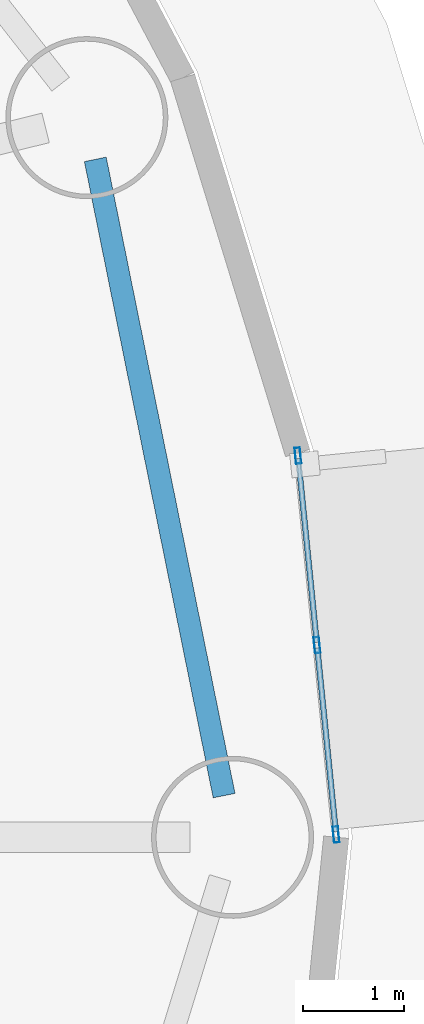
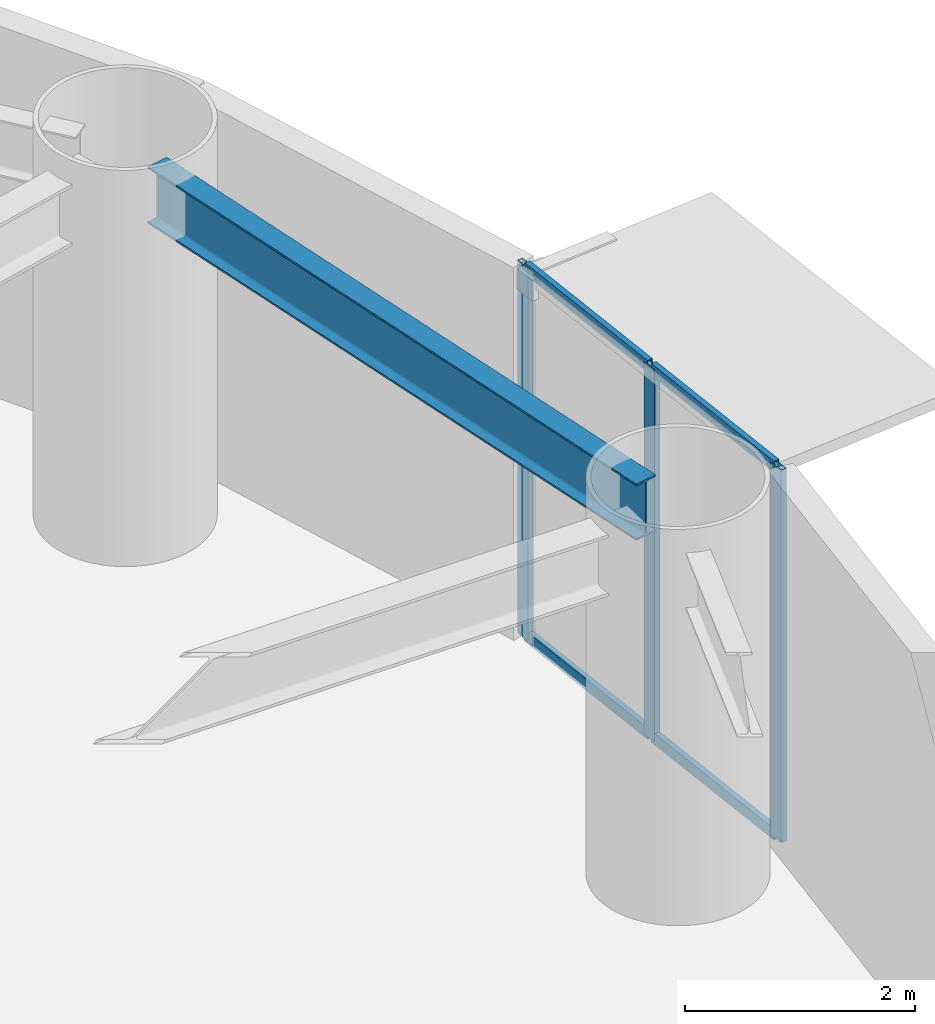
# One storey, part 9 of 35: 7 members, 1 beam, 1 element without a shape of its own.
"""IFC4 building model written with IfcOpenShell, lengths in metres."""

from ifc_helpers import new_model, si_unit, direction, frame, origin, origin_2d, place, context, subcontext, project, spatial, hollow_rectangle, i_section, extrude, source, transform, mapped, material, layer, layer_set, material_profile, profile_set, type_object, element, aggregate, save


model = new_model("IFC4")

# Units and contexts
model_context = context("Model", 3, precision=1e-05, world=origin(), true_north=direction((0.0, 1.0)))
body_context = subcontext(model_context, "Body", "Model", "MODEL_VIEW")
ifc_project = project(units=[si_unit("LENGTHUNIT", "METRE"), si_unit("AREAUNIT", "SQUARE_METRE"), si_unit("VOLUMEUNIT", "CUBIC_METRE"), si_unit("PLANEANGLEUNIT", "RADIAN"), si_unit("MASSUNIT", "GRAM", prefix="KILO")], contexts=[model_context])

# Site, building, storey
site_placement = place(None, origin())
site = spatial("IfcSite", under=ifc_project, at=site_placement, CompositionType="ELEMENT")
building_placement = place(site_placement, origin())
building = spatial("IfcBuilding", under=site, at=building_placement, Name="Linh Dai School and Residence Tower", CompositionType="ELEMENT")
storey_placement = place(building_placement, frame((0.0, 0.0, 32.39990234375)))
storey = spatial("IfcBuildingStorey", under=building, at=storey_placement, Name="L07", CompositionType="ELEMENT", Elevation=32.39990234375)

# Beam
ifc_material_1 = material(Name="Structural Steel S355JR", Category="steel")
ifc_material_profile_1 = material_profile(ifc_material_1, i_section(OverallWidth=0.219970703125, OverallDepth=0.60009765625, WebThickness=0.011962890625, FlangeThickness=0.01904296875, FilletRadius=0.02392578125, at=origin_2d()), Name="IPE 600")
ifc_profile_set_1 = profile_set([ifc_material_profile_1], Name="Structural Steel S355JR")
beam_type = type_object("IfcBeamType", Name="BM-RB60", PredefinedType="BEAM", material=ifc_profile_set_1)
beam_placement = place(storey_placement, frame((65.966552734375, 27.41162109375, 3.650146484375), z_axis=(-0.198429171022, 0.980115230005, 0.0), x_axis=(-0.980115230005, -0.198429171022, 0.0)))
element("IfcBeam", 1, at=beam_placement, inside=storey, type_object=beam_type, Name="L07 Perimeter Elliptical Ring Beam 01", PredefinedType="BEAM", context=body_context, shape_type="SweptSolid", body=[
    extrude(i_section(OverallWidth=0.219970703125, OverallDepth=0.60009765625, WebThickness=0.011962890625, FlangeThickness=0.01904296875, FilletRadius=0.02392578125, at=origin_2d()), origin(), (0.0, 0.0, 1.0), 6.41259765625),
])

# Curtain wall, members
ifc_material_2 = material(Name="Aluminium Anodised Curtain Wall", Category="aluminium")
ifc_layer = layer(ifc_material_2, 0.159912109375)
ifc_layer_set = layer_set([ifc_layer], Name="Aluminium Anodised Curtain Wall")
curtain_wall_type = type_object("IfcCurtainWallType", Name="CW-SYS-3", PredefinedType="USERDEFINED", material=ifc_layer_set)
curtain_wall_placement = place(storey_placement, origin())
curtain_wall = element("IfcCurtainWall", 2, at=curtain_wall_placement, inside=storey, type_object=curtain_wall_type, Name="L07 CW3 Curtain Wall 01", ObjectType="RIBBON CURTAIN WALL", PredefinedType="USERDEFINED")
ifc_material_3 = material(Name="Aluminium Alloy 6063-T6", Category="aluminium")
ifc_material_profile_2 = material_profile(ifc_material_3, hollow_rectangle(XDim=0.054931640625, YDim=0.159912109375, WallThickness=0.00390625, at=origin_2d()), Name="RHS 160x55x4")
ifc_profile_set_2 = profile_set([ifc_material_profile_2], Name="Aluminium Alloy 6063-T6")
member_type_1 = type_object("IfcMemberType", Name="CW-SYS-3-MUL", PredefinedType="MULLION", material=ifc_profile_set_2)
shared_shape_1 = source(origin(), body_context, "Body", "SweptSolid", [
    extrude(hollow_rectangle(XDim=0.054931640625, YDim=0.159912109375, WallThickness=0.00390625, at=origin_2d()), origin(), (0.0, 0.0, 1.0), 3.9501953125),
])
member_1_placement = place(storey_placement, frame((66.696044921875, 30.76953125, 0.0), z_axis=(0.0, 0.0, 1.0), x_axis=(0.994986493533, 0.100009387998, 0.0)))
member_1 = element("IfcMember", 3, at=member_1_placement, type_object=member_type_1, Name="CW3 mullion 1", PredefinedType="MULLION", context=body_context, shape_type="MappedRepresentation", body=[
    mapped(shared_shape_1, transform((0.0, 0.0, 0.0), x_axis=(1.0, 0.0, 0.0), y_axis=(0.0, 1.0, 0.0), z_axis=(0.0, 0.0, 1.0), scale=1.0)),
])
member_2_placement = place(storey_placement, frame((66.88427734375, 28.8984375, 0.0), z_axis=(0.0, 0.0, 1.0), x_axis=(0.994986493533, 0.100009387998, 0.0)))
member_2 = element("IfcMember", 4, at=member_2_placement, type_object=member_type_1, Name="CW3 mullion 2", PredefinedType="MULLION", context=body_context, shape_type="MappedRepresentation", body=[
    mapped(shared_shape_1, transform((0.0, 0.0, 0.0), x_axis=(1.0, 0.0, 0.0), y_axis=(0.0, 1.0, 0.0), z_axis=(0.0, 0.0, 1.0), scale=1.0)),
])
member_3_placement = place(storey_placement, frame((67.072265625, 27.02734375, 0.0), z_axis=(0.0, 0.0, 1.0), x_axis=(0.994986493533, 0.100009387998, 0.0)))
member_3 = element("IfcMember", 5, at=member_3_placement, type_object=member_type_1, Name="CW3 mullion 3", PredefinedType="MULLION", context=body_context, shape_type="MappedRepresentation", body=[
    mapped(shared_shape_1, transform((0.0, 0.0, 0.0), x_axis=(1.0, 0.0, 0.0), y_axis=(0.0, 1.0, 0.0), z_axis=(0.0, 0.0, 1.0), scale=1.0)),
])
ifc_material_profile_3 = material_profile(ifc_material_3, hollow_rectangle(XDim=0.054931640625, YDim=0.1201171875, WallThickness=0.00390625, at=origin_2d()), Name="RHS 120x55x4")
ifc_profile_set_3 = profile_set([ifc_material_profile_3], Name="Aluminium Alloy 6063-T6")
member_type_2 = type_object("IfcMemberType", Name="CW-SYS-3-TRN", PredefinedType="USERDEFINED", material=ifc_profile_set_3)
shared_shape_2 = source(origin(), body_context, "Body", "SweptSolid", [
    extrude(hollow_rectangle(XDim=0.054931640625, YDim=0.1201171875, WallThickness=0.00390625, at=origin_2d()), origin(), (0.0, 0.0, 1.0), 1.825439453125),
])
member_4_placement = place(storey_placement, frame((66.698974609375, 30.7421875, 0.027587890625), z_axis=(0.099900947353, -0.994997387292, 0.0), x_axis=(0.994997387292, 0.099900947353, 0.0)))
member_4 = element("IfcMember", 6, at=member_4_placement, type_object=member_type_2, Name="CW3 transom 1.1", ObjectType="TRANSOM", PredefinedType="USERDEFINED", context=body_context, shape_type="MappedRepresentation", body=[
    mapped(shared_shape_2, transform((0.0, 0.0, 0.0), x_axis=(1.0, 0.0, 0.0), y_axis=(0.0, 1.0, 0.0), z_axis=(0.0, 0.0, 1.0), scale=1.0)),
])
member_5_placement = place(storey_placement, frame((66.698974609375, 30.7421875, 3.922607421875), z_axis=(0.099900947353, -0.994997387292, 0.0), x_axis=(0.994997387292, 0.099900947353, 0.0)))
member_5 = element("IfcMember", 7, at=member_5_placement, type_object=member_type_2, Name="CW3 transom 1.2", ObjectType="TRANSOM", PredefinedType="USERDEFINED", context=body_context, shape_type="MappedRepresentation", body=[
    mapped(shared_shape_2, transform((0.0, 0.0, 0.0), x_axis=(1.0, 0.0, 0.0), y_axis=(0.0, 1.0, 0.0), z_axis=(0.0, 0.0, 1.0), scale=1.0)),
])
shared_shape_3 = source(origin(), body_context, "Body", "SweptSolid", [
    extrude(hollow_rectangle(XDim=0.054931640625, YDim=0.1201171875, WallThickness=0.00390625, at=origin_2d()), origin(), (0.0, 0.0, 1.0), 1.82568359375),
])
member_6_placement = place(storey_placement, frame((66.886962890625, 28.87109375, 0.027587890625), z_axis=(0.100033346193, -0.994984085124, 0.0), x_axis=(0.994984085124, 0.100033346193, 0.0)))
member_6 = element("IfcMember", 8, at=member_6_placement, type_object=member_type_2, Name="CW3 transom 2.1", ObjectType="TRANSOM", PredefinedType="USERDEFINED", context=body_context, shape_type="MappedRepresentation", body=[
    mapped(shared_shape_3, transform((0.0, 0.0, 0.0), x_axis=(1.0, 0.0, 0.0), y_axis=(0.0, 1.0, 0.0), z_axis=(0.0, 0.0, 1.0), scale=1.0)),
])
member_7_placement = place(storey_placement, frame((66.886962890625, 28.87109375, 3.922607421875), z_axis=(0.100033346193, -0.994984085124, 0.0), x_axis=(0.994984085124, 0.100033346193, 0.0)))
member_7 = element("IfcMember", 9, at=member_7_placement, type_object=member_type_2, Name="CW3 transom 2.2", ObjectType="TRANSOM", PredefinedType="USERDEFINED", context=body_context, shape_type="MappedRepresentation", body=[
    mapped(shared_shape_3, transform((0.0, 0.0, 0.0), x_axis=(1.0, 0.0, 0.0), y_axis=(0.0, 1.0, 0.0), z_axis=(0.0, 0.0, 1.0), scale=1.0)),
])
aggregate(curtain_wall, [member_1, member_2, member_3, member_4, member_5, member_6, member_7])

save(model, "model.ifc")
